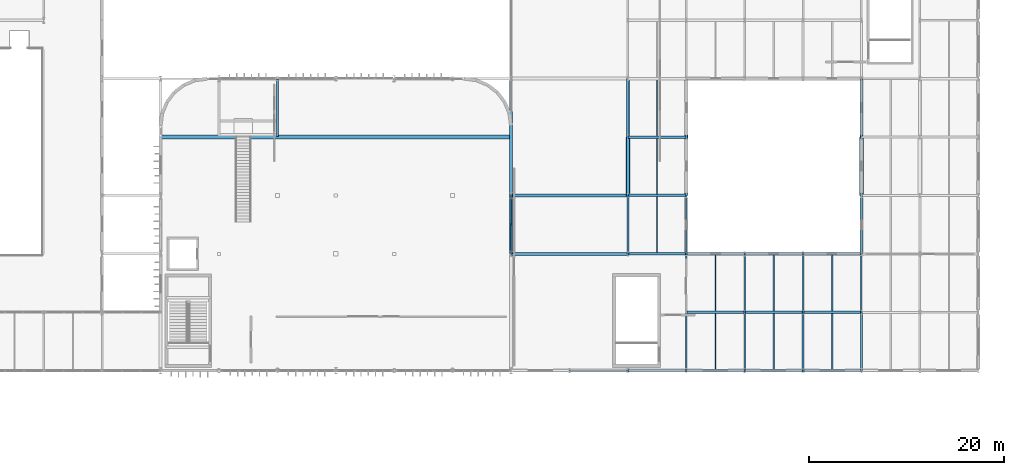
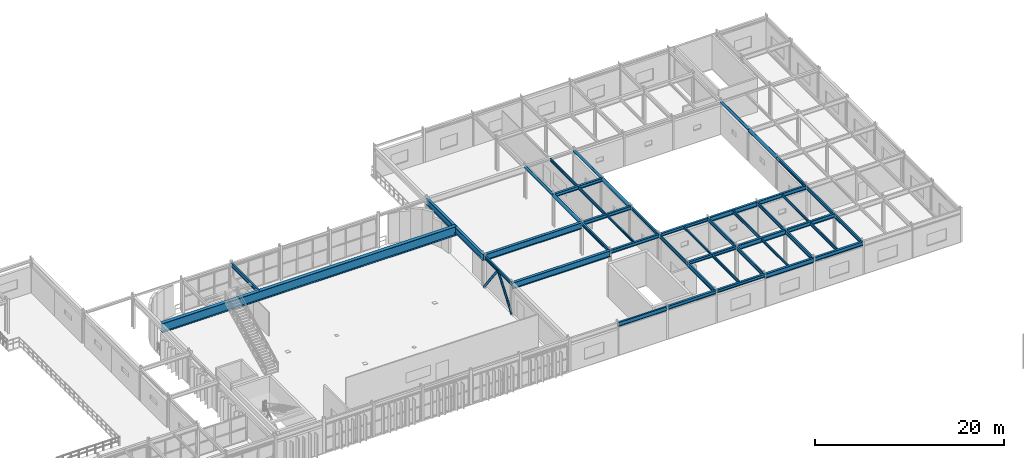
# One storey, part 39 of 84: 46 beams, 2 members.
"""IFC4 building model written with IfcOpenShell, lengths in metres."""

import ifcopenshell
import ifcopenshell.guid

model = None  # the IFC model being written
_history = None  # IfcOwnerHistory: only IFC2X3 demands one
_inside = {}  # id of a spatial element -> (the spatial element, [elements in it])
_under = {}  # id of a project, library or spatial element -> (it, [spatial elements below it])
_declared = {}  # id of a project -> (the project, [libraries it declares])
_typed = {}  # id of a type object -> (the type object, [elements of that type])
_made_of = {}  # id of a material, layer set ... -> (it, [elements and type objects made of it])


def new_model(schema):
    """Start an empty IFC model of exactly this schema.

    Asked for "IFC4X3", IfcOpenShell would pick the latest addendum, in which some entities
    have other attributes; the version numbers below select the first issue.
    IFC2X3 requires an IfcOwnerHistory on every rooted entity: one is made here for all.
    """
    global model, _history
    if schema == "IFC4X3":
        model = ifcopenshell.file(schema_version=(4, 3, 0, 0))
    else:
        model = ifcopenshell.file(schema=schema)
    _inside.clear()
    _under.clear()
    _declared.clear()
    _typed.clear()
    _made_of.clear()
    _history = None
    if model.schema == "IFC2X3":
        org = make("IfcOrganization", Name="unknown")
        user = make(
            "IfcPersonAndOrganization",
            ThePerson=make("IfcPerson", FamilyName="unknown"),
            TheOrganization=org,
        )
        app = make(
            "IfcApplication",
            ApplicationDeveloper=org,
            Version="unknown",
            ApplicationFullName="unknown",
            ApplicationIdentifier="unknown",
        )
        _history = make(
            "IfcOwnerHistory",
            OwningUser=user,
            OwningApplication=app,
            ChangeAction="ADDED",
            CreationDate=0,
        )
    return model


def make(cls, **values):
    """One entity of the class cls with the attributes given. An attribute that is None is left unset."""
    return model.create_entity(
        cls, **{name: value for name, value in values.items() if value is not None}
    )


def rooted(cls, **values):
    """An entity with a GlobalId (a new one), such as an element, a storey or a relation."""
    return make(cls, GlobalId=ifcopenshell.guid.new(), OwnerHistory=_history, **values)


def si_unit(unit_type, name, prefix=None):
    """IfcSIUnit, for example si_unit("LENGTHUNIT", "METRE", prefix="MILLI")."""
    return make("IfcSIUnit", UnitType=unit_type, Prefix=prefix, Name=name)


def assignment(units):
    """IfcUnitAssignment: the units of a project."""
    return None if units is None else make("IfcUnitAssignment", Units=units)


def point(xyz):
    """IfcCartesianPoint."""
    return None if xyz is None else make("IfcCartesianPoint", Coordinates=xyz)


def direction(xyz):
    """IfcDirection."""
    return None if xyz is None else make("IfcDirection", DirectionRatios=xyz)


def frame(location, z_axis=None, x_axis=None):
    """IfcAxis2Placement3D, a coordinate frame: its origin and axes. An axis left out is left unset."""
    return make(
        "IfcAxis2Placement3D",
        Location=point(location),
        Axis=direction(z_axis),
        RefDirection=direction(x_axis),
    )


def frame_2d(location, x_axis=None):
    """IfcAxis2Placement2D, a coordinate frame in the plane: its origin and x axis."""
    return make(
        "IfcAxis2Placement2D", Location=point(location), RefDirection=direction(x_axis)
    )


def origin():
    """The frame at (0, 0, 0) with its axes left unset."""
    return frame((0.0, 0.0, 0.0))


def origin_2d():
    """The frame at (0, 0) in the plane with its x axis left unset."""
    return frame_2d((0.0, 0.0))


def place(relative_to, where):
    """IfcLocalPlacement: puts the frame where relative to a parent placement (None: the world)."""
    return make(
        "IfcLocalPlacement", PlacementRelTo=relative_to, RelativePlacement=where
    )


def context(
    kind, dimensions, precision=None, world=None, true_north=None, identifier=None
):
    """IfcGeometricRepresentationContext, for example the 3D "Model" context."""
    return make(
        "IfcGeometricRepresentationContext",
        ContextIdentifier=identifier,
        ContextType=kind,
        CoordinateSpaceDimension=dimensions,
        Precision=precision,
        WorldCoordinateSystem=world,
        TrueNorth=true_north,
    )


def subcontext(parent, identifier, kind, view, scale=None):
    """IfcGeometricRepresentationSubContext, for example "Body" below "Model"."""
    return make(
        "IfcGeometricRepresentationSubContext",
        ContextIdentifier=identifier,
        ContextType=kind,
        ParentContext=parent,
        TargetScale=scale,
        TargetView=view,
    )


def project(units=None, contexts=None):
    """IfcProject with its units and contexts."""
    return rooted(
        "IfcProject",
        Name="project",
        RepresentationContexts=contexts,
        UnitsInContext=assignment(units),
    )


def spatial(cls, under=None, at=None, **own):
    """A site, building, storey or space (cls), placed at a placement, below another one or the project."""
    s = rooted(cls, ObjectPlacement=at, **own)
    if under is not None:
        _under.setdefault(under.id(), (under, []))[1].append(s)
    return s


def profile(cls, at=None, kind="AREA", **sizes):
    """A parametric profile (cls). Its sizes go by their IFC names, for example OverallWidth=200.0."""
    return make(cls, ProfileType=kind, Position=at, **sizes)


def hollow_circle(**sizes):
    """IfcCircleHollowProfileDef."""
    return profile("IfcCircleHollowProfileDef", **sizes)


def i_section(**sizes):
    """IfcIShapeProfileDef."""
    return profile("IfcIShapeProfileDef", **sizes)


def extrude(swept, where, along, depth):
    """IfcExtrudedAreaSolid: the profile swept, set in the frame where, extruded along a direction by depth."""
    return make(
        "IfcExtrudedAreaSolid",
        SweptArea=swept,
        Position=where,
        ExtrudedDirection=direction(along),
        Depth=depth,
    )


def shape(context_of_items, identifier, shape_type, items):
    """IfcShapeRepresentation: the items that make up one representation, for example the "Body"."""
    return make(
        "IfcShapeRepresentation",
        ContextOfItems=context_of_items,
        RepresentationIdentifier=identifier,
        RepresentationType=shape_type,
        Items=items,
    )


def material(Name=None, Category=None):
    """IfcMaterial."""
    return make("IfcMaterial", Name=Name, Category=Category)


def material_profile(
    of_material, cross_section, Name=None, Category=None, Priority=None
):
    """IfcMaterialProfile: a cross section and its material."""
    return make(
        "IfcMaterialProfile",
        Name=Name,
        Material=of_material,
        Profile=cross_section,
        Priority=Priority,
        Category=Category,
    )


def profile_set(profiles, Name=None, composite=None):
    """IfcMaterialProfileSet."""
    return make(
        "IfcMaterialProfileSet",
        Name=Name,
        MaterialProfiles=profiles,
        CompositeProfile=composite,
    )


def made_of(thing, what):
    """Note that an element or type object is made of a material, layer set ...; save() writes the relation."""
    if what is not None:
        _made_of.setdefault(what.id(), (what, []))[1].append(thing)
    return thing


def type_object(cls, material=None, **own):
    """A type object (cls), such as IfcWallType, which elements share."""
    return made_of(rooted(cls, **own), material)


def element(
    cls,
    number,
    at=None,
    inside=None,
    cuts=None,
    type_object=None,
    material=None,
    context=None,
    identifier="Body",
    shape_type=None,
    held_by="IfcProductDefinitionShape",
    body=None,
    shapes=None,
    **own,
):
    """One element of the class cls, such as IfcWall. Its Tag is "e" and its number.

    at: its placement. inside: the storey or other place that contains it. cuts: it is an
    opening in that element (IfcRelVoidsElement). A single representation is given by context,
    identifier, shape_type and body (its items); several are given by shapes. held_by: the class
    of the entity that holds the representations. save() writes the other relations.
    """
    e = rooted(cls, Tag="e%d" % number, ObjectPlacement=at, **own)
    if body is not None:
        shapes = [shape(context, identifier, shape_type, body)]
    if shapes is not None:
        e.Representation = make(held_by, Representations=shapes)
    if inside is not None:
        _inside.setdefault(inside.id(), (inside, []))[1].append(e)
    if cuts is not None:
        rooted(
            "IfcRelVoidsElement", RelatingBuildingElement=cuts, RelatedOpeningElement=e
        )
    if type_object is not None:
        _typed.setdefault(type_object.id(), (type_object, []))[1].append(e)
    return made_of(e, material)


def aggregate(whole, parts):
    """IfcRelAggregates: a whole, such as a stair, and the parts it consists of."""
    return rooted("IfcRelAggregates", RelatingObject=whole, RelatedObjects=parts)


def save(model, path):
    """Write the relations noted so far, then the file.

    IfcRelAggregates (storeys below a building ...), IfcRelContainedInSpatialStructure (elements
    in a storey), IfcRelDefinesByType, IfcRelAssociatesMaterial and IfcRelDeclares: one each for
    every whole, place, type object, material and project.
    """
    for whole, parts in _under.values():
        aggregate(whole, parts)
    for where, things in _inside.values():
        rooted(
            "IfcRelContainedInSpatialStructure",
            RelatedElements=things,
            RelatingStructure=where,
        )
    for kind, things in _typed.values():
        rooted("IfcRelDefinesByType", RelatedObjects=things, RelatingType=kind)
    for what, things in _made_of.values():
        rooted("IfcRelAssociatesMaterial", RelatedObjects=things, RelatingMaterial=what)
    for by, libraries in _declared.values():
        rooted("IfcRelDeclares", RelatingContext=by, RelatedDefinitions=libraries)
    model.write(path)


model = new_model("IFC4")

# Units and contexts
model_context = context("Model", 3, precision=1e-05, world=origin(), true_north=direction((0.0, 1.0)))
body_context = subcontext(model_context, "Body", "Model", "MODEL_VIEW")
ifc_project = project(units=[si_unit("LENGTHUNIT", "METRE"), si_unit("AREAUNIT", "SQUARE_METRE"), si_unit("VOLUMEUNIT", "CUBIC_METRE"), si_unit("PLANEANGLEUNIT", "RADIAN"), si_unit("MASSUNIT", "GRAM", prefix="KILO")], contexts=[model_context])

# Site, building, storey
site_placement = place(None, origin())
site = spatial("IfcSite", under=ifc_project, at=site_placement, CompositionType="ELEMENT")
building_placement = place(site_placement, origin())
building = spatial("IfcBuilding", under=site, at=building_placement, Name="Varnakota Square Police Headquarters", CompositionType="ELEMENT")
storey_placement = place(building_placement, frame((0.0, 0.0, 13.5)))
storey = spatial("IfcBuildingStorey", under=building, at=storey_placement, Name="L03", CompositionType="ELEMENT", Elevation=13.5)

# Beams
ifc_material = material(Name="Steel IS 2062 Grade 350", Category="steel")
ifc_material_profile_1 = material_profile(ifc_material, hollow_circle(Radius=0.161865234375, WallThickness=0.0126953125, at=origin_2d()), Name="CHS 323.9x12.7")
ifc_profile_set_1 = profile_set([ifc_material_profile_1], Name="Steel IS 2062 Grade 350")
beam_type_1 = type_object("IfcBeamType", Name="BM-ARC-CHS324", PredefinedType="BEAM", material=ifc_profile_set_1)
for number, where, z_axis, x_axis, name in (
    (1, (108.0, 93.0, 4.0380859375), (0.0, 1.0, 0.0), (-1.0, 0.0, 0.0), "BMG-L03-2680"),
    (2, (114.0, 93.0, 4.0380859375), (0.0, 1.0, 0.0), (-1.0, 0.0, 0.0), "BMG-L03-2689"),
    (3, (132.0, 93.0, 4.0380859375), (0.0, 1.0, 0.0), (-1.0, 0.0, 0.0), "BMG-L03-2710"),
):
    element("IfcBeam", number, at=place(storey_placement, frame(where, z_axis=z_axis, x_axis=x_axis)), inside=storey, type_object=beam_type_1, Name=name, PredefinedType="BEAM", context=body_context, shape_type="SweptSolid", body=[
        extrude(hollow_circle(Radius=0.161865234375, WallThickness=0.0126953125, at=origin_2d()), origin(), (0.0, 0.0, 1.0), 6.0),
    ])
ifc_material_profile_2 = material_profile(ifc_material, hollow_circle(Radius=0.203125, WallThickness=0.01611328125, at=origin_2d()), Name="CHS 406.4x16.0")
ifc_profile_set_2 = profile_set([ifc_material_profile_2], Name="Steel IS 2062 Grade 350")
beam_type_2 = type_object("IfcBeamType", Name="BM-ARC-CHS406", PredefinedType="BEAM", material=ifc_profile_set_2)
for number, where, z_axis, x_axis, name in (
    (4, (108.0, 87.0, 3.996826171875), (0.0, 1.0, 0.0), (-1.0, 0.0, 0.0), "BMG-L03-2679"),
    (5, (114.0, 87.0, 3.996826171875), (0.0, 1.0, 0.0), (-1.0, 0.0, 0.0), "BMG-L03-2688"),
    (6, (132.0, 87.0, 3.996826171875), (0.0, 1.0, 0.0), (-1.0, 0.0, 0.0), "BMG-L03-2709"),
):
    element("IfcBeam", number, at=place(storey_placement, frame(where, z_axis=z_axis, x_axis=x_axis)), inside=storey, type_object=beam_type_2, Name=name, PredefinedType="BEAM", context=body_context, shape_type="SweptSolid", body=[
        extrude(hollow_circle(Radius=0.203125, WallThickness=0.01611328125, at=origin_2d()), origin(), (0.0, 0.0, 1.0), 6.0),
    ])
ifc_material_profile_3 = material_profile(ifc_material, i_section(OverallWidth=0.419921875, OverallDepth=1.199951171875, WebThickness=0.02197265625, FlangeThickness=0.034912109375, at=origin_2d()), Name="BPG 1200x420")
ifc_profile_set_3 = profile_set([ifc_material_profile_3], Name="Steel IS 2062 Grade 350")
beam_type_3 = type_object("IfcBeamType", Name="BM-BPG1200", PredefinedType="BEAM", material=ifc_profile_set_3)
beam_1_placement = place(storey_placement, frame((60.0, 93.0, 3.699951171875), z_axis=(1.0, 0.0, 0.0), x_axis=(0.0, 1.0, 0.0)))
element("IfcBeam", 7, at=beam_1_placement, inside=storey, type_object=beam_type_3, Name="Crisis gallery north edge girder L03", PredefinedType="BEAM", context=body_context, shape_type="SweptSolid", body=[
    extrude(i_section(OverallWidth=0.419921875, OverallDepth=1.199951171875, WebThickness=0.02197265625, FlangeThickness=0.034912109375, at=origin_2d()), origin(), (0.0, 0.0, 1.0), 36.0),
])
ifc_material_profile_4 = material_profile(ifc_material, i_section(OverallWidth=0.320068359375, OverallDepth=0.800048828125, WebThickness=0.01611328125, FlangeThickness=0.028076171875, at=origin_2d()), Name="BPG 800x320")
ifc_profile_set_4 = profile_set([ifc_material_profile_4], Name="Steel IS 2062 Grade 350")
beam_type_4 = type_object("IfcBeamType", Name="BM-BPG800", PredefinedType="BEAM", material=ifc_profile_set_4)
for number, where, z_axis, x_axis, name in (
    (8, (96.0, 81.0, 3.800048828125), (1.0, 0.0, 0.0), (0.0, 1.0, 0.0), "BMG-L03-2543"),
    (9, (96.0, 87.0, 3.800048828125), (1.0, 0.0, 0.0), (0.0, 1.0, 0.0), "BMG-L03-2551"),
    (10, (96.0, 87.0, 3.800048828125), (0.0, 1.0, 0.0), (-1.0, 0.0, 0.0), "BMG-L03-2675"),
):
    element("IfcBeam", number, at=place(storey_placement, frame(where, z_axis=z_axis, x_axis=x_axis)), inside=storey, type_object=beam_type_4, Name=name, PredefinedType="BEAM", context=body_context, shape_type="SweptSolid", body=[
        extrude(i_section(OverallWidth=0.320068359375, OverallDepth=0.800048828125, WebThickness=0.01611328125, FlangeThickness=0.028076171875, at=origin_2d()), origin(), (0.0, 0.0, 1.0), 12.0),
    ])
ifc_material_profile_5 = material_profile(ifc_material, i_section(OverallWidth=0.25, OverallDepth=0.39990234375, WebThickness=0.010498046875, FlangeThickness=0.0126953125, FilletRadius=0.013916015625, at=origin_2d()), Name="ISHB 400")
ifc_profile_set_5 = profile_set([ifc_material_profile_5], Name="Steel IS 2062 Grade 350")
beam_type_5 = type_object("IfcBeamType", Name="BM-ISHB400", PredefinedType="BEAM", material=ifc_profile_set_5)
for number, where, z_axis, x_axis, name in (
    (11, (114.0, 69.0, 4.0), (1.0, 0.0, 0.0), (0.0, 1.0, 0.0), "BMG-L03-2525"),
    (12, (114.0, 75.0, 4.0), (1.0, 0.0, 0.0), (0.0, 1.0, 0.0), "BMG-L03-2537"),
    (13, (114.0, 81.0, 4.0), (1.0, 0.0, 0.0), (0.0, 1.0, 0.0), "BMG-L03-2545"),
):
    element("IfcBeam", number, at=place(storey_placement, frame(where, z_axis=z_axis, x_axis=x_axis)), inside=storey, type_object=beam_type_5, Name=name, PredefinedType="BEAM", context=body_context, shape_type="SweptSolid", body=[
        extrude(i_section(OverallWidth=0.25, OverallDepth=0.39990234375, WebThickness=0.010498046875, FlangeThickness=0.0126953125, FilletRadius=0.013916015625, at=origin_2d()), origin(), (0.0, 0.0, 1.0), 6.0),
    ])
ifc_material_profile_6 = material_profile(ifc_material, i_section(OverallWidth=0.25, OverallDepth=0.449951171875, WebThickness=0.01123046875, FlangeThickness=0.013671875, FilletRadius=0.014892578125, at=origin_2d()), Name="ISHB 450")
ifc_profile_set_6 = profile_set([ifc_material_profile_6], Name="Steel IS 2062 Grade 350")
beam_type_6 = type_object("IfcBeamType", Name="BM-ISHB450", PredefinedType="BEAM", material=ifc_profile_set_6)
for number, where, z_axis, x_axis, name in (
    (14, (108.0, 69.0, 3.97509765625), (1.0, 0.0, 0.0), (0.0, 1.0, 0.0), "BMG-L03-2524"),
    (15, (108.0, 81.0, 3.97509765625), (1.0, 0.0, 0.0), (0.0, 1.0, 0.0), "BMG-L03-2544"),
    (16, (108.0, 87.0, 3.97509765625), (1.0, 0.0, 0.0), (0.0, 1.0, 0.0), "BMG-L03-2552"),
    (17, (108.0, 93.0, 3.97509765625), (1.0, 0.0, 0.0), (0.0, 1.0, 0.0), "BMG-L03-2555"),
):
    element("IfcBeam", number, at=place(storey_placement, frame(where, z_axis=z_axis, x_axis=x_axis)), inside=storey, type_object=beam_type_6, Name=name, PredefinedType="BEAM", context=body_context, shape_type="SweptSolid", body=[
        extrude(i_section(OverallWidth=0.25, OverallDepth=0.449951171875, WebThickness=0.01123046875, FlangeThickness=0.013671875, FilletRadius=0.014892578125, at=origin_2d()), origin(), (0.0, 0.0, 1.0), 6.0),
    ])
ifc_material_profile_7 = material_profile(ifc_material, i_section(OverallWidth=0.139892578125, OverallDepth=0.300048828125, WebThickness=0.0078125, FlangeThickness=0.01318359375, FilletRadius=0.013916015625, at=origin_2d()), Name="ISMB 300")
ifc_profile_set_7 = profile_set([ifc_material_profile_7], Name="Steel IS 2062 Grade 350")
beam_type_7 = type_object("IfcBeamType", Name="BM-ISMB300", PredefinedType="JOIST", material=ifc_profile_set_7)
for number, where, z_axis, x_axis, name in (
    (18, (111.0, 81.123046875, 4.050048828125), (0.0, 1.0, 0.0), (-1.0, 0.0, 0.0), "BMG-L03-2802"),
    (19, (117.0, 75.123046875, 4.050048828125), (0.0, 1.0, 0.0), (-1.0, 0.0, 0.0), "BMG-L03-2808"),
    (20, (123.0, 69.123046875, 4.050048828125), (0.0, 1.0, 0.0), (-1.0, 0.0, 0.0), "BMG-L03-2811"),
):
    element("IfcBeam", number, at=place(storey_placement, frame(where, z_axis=z_axis, x_axis=x_axis)), inside=storey, type_object=beam_type_7, Name=name, PredefinedType="JOIST", context=body_context, shape_type="SweptSolid", body=[
        extrude(i_section(OverallWidth=0.139892578125, OverallDepth=0.300048828125, WebThickness=0.0078125, FlangeThickness=0.01318359375, FilletRadius=0.013916015625, at=origin_2d()), origin(), (0.0, 0.0, 1.0), 5.75390625),
    ])
ifc_material_profile_8 = material_profile(ifc_material, i_section(OverallWidth=0.139892578125, OverallDepth=0.35009765625, WebThickness=0.008056640625, FlangeThickness=0.01416015625, FilletRadius=0.013916015625, at=origin_2d()), Name="ISMB 350")
ifc_profile_set_8 = profile_set([ifc_material_profile_8], Name="Steel IS 2062 Grade 350")
beam_type_8 = type_object("IfcBeamType", Name="BM-ISMB350", PredefinedType="JOIST", material=ifc_profile_set_8)
for number, where, z_axis, x_axis, name in (
    (21, (111.0, 93.123046875, 4.02490234375), (0.0, 1.0, 0.0), (-1.0, 0.0, 0.0), "BMG-L03-2804"),
    (22, (117.0, 69.123046875, 4.02490234375), (0.0, 1.0, 0.0), (-1.0, 0.0, 0.0), "BMG-L03-2807"),
    (23, (129.0, 75.123046875, 4.02490234375), (0.0, 1.0, 0.0), (-1.0, 0.0, 0.0), "BMG-L03-2815"),
):
    element("IfcBeam", number, at=place(storey_placement, frame(where, z_axis=z_axis, x_axis=x_axis)), inside=storey, type_object=beam_type_8, Name=name, PredefinedType="JOIST", context=body_context, shape_type="SweptSolid", body=[
        extrude(i_section(OverallWidth=0.139892578125, OverallDepth=0.35009765625, WebThickness=0.008056640625, FlangeThickness=0.01416015625, FilletRadius=0.013916015625, at=origin_2d()), origin(), (0.0, 0.0, 1.0), 5.75390625),
    ])
ifc_material_profile_9 = material_profile(ifc_material, i_section(OverallWidth=0.139892578125, OverallDepth=0.39990234375, WebThickness=0.0087890625, FlangeThickness=0.01611328125, FilletRadius=0.013916015625, at=origin_2d()), Name="ISMB 400")
ifc_profile_set_9 = profile_set([ifc_material_profile_9], Name="Steel IS 2062 Grade 350")
beam_type_9 = type_object("IfcBeamType", Name="BM-ISMB400", PredefinedType="JOIST", material=ifc_profile_set_9)
for number, where, z_axis, x_axis, name in (
    (24, (111.0, 87.123046875, 4.0), (0.0, 1.0, 0.0), (-1.0, 0.0, 0.0), "BMG-L03-2803"),
    (25, (123.0, 75.123046875, 4.0), (0.0, 1.0, 0.0), (-1.0, 0.0, 0.0), "BMG-L03-2812"),
    (26, (129.0, 69.123046875, 4.0), (0.0, 1.0, 0.0), (-1.0, 0.0, 0.0), "BMG-L03-2814"),
):
    element("IfcBeam", number, at=place(storey_placement, frame(where, z_axis=z_axis, x_axis=x_axis)), inside=storey, type_object=beam_type_9, Name=name, PredefinedType="JOIST", context=body_context, shape_type="SweptSolid", body=[
        extrude(i_section(OverallWidth=0.139892578125, OverallDepth=0.39990234375, WebThickness=0.0087890625, FlangeThickness=0.01611328125, FilletRadius=0.013916015625, at=origin_2d()), origin(), (0.0, 0.0, 1.0), 5.75390625),
    ])
ifc_material_profile_10 = material_profile(ifc_material, i_section(OverallWidth=0.14990234375, OverallDepth=0.449951171875, WebThickness=0.009521484375, FlangeThickness=0.017333984375, FilletRadius=0.014892578125, at=origin_2d()), Name="ISMB 450")
ifc_profile_set_10 = profile_set([ifc_material_profile_10], Name="Steel IS 2062 Grade 350")
beam_type_10 = type_object("IfcBeamType", Name="BM-ISMB450", PredefinedType="BEAM", material=ifc_profile_set_10)
for number, where, z_axis, x_axis, name in (
    (27, (114.0, 75.0, 3.97509765625), (0.0, 1.0, 0.0), (-1.0, 0.0, 0.0), "BMG-L03-2686"),
    (28, (120.0, 75.0, 3.97509765625), (0.0, 1.0, 0.0), (-1.0, 0.0, 0.0), "BMG-L03-2695"),
    (29, (126.0, 75.0, 3.97509765625), (0.0, 1.0, 0.0), (-1.0, 0.0, 0.0), "BMG-L03-2701"),
    (30, (132.0, 75.0, 3.97509765625), (0.0, 1.0, 0.0), (-1.0, 0.0, 0.0), "BMG-L03-2707"),
):
    element("IfcBeam", number, at=place(storey_placement, frame(where, z_axis=z_axis, x_axis=x_axis)), inside=storey, type_object=beam_type_10, Name=name, PredefinedType="BEAM", context=body_context, shape_type="SweptSolid", body=[
        extrude(i_section(OverallWidth=0.14990234375, OverallDepth=0.449951171875, WebThickness=0.009521484375, FlangeThickness=0.017333984375, FilletRadius=0.014892578125, at=origin_2d()), origin(), (0.0, 0.0, 1.0), 6.0),
    ])
ifc_material_profile_11 = material_profile(ifc_material, i_section(OverallWidth=0.179931640625, OverallDepth=0.5, WebThickness=0.01025390625, FlangeThickness=0.01708984375, FilletRadius=0.01708984375, at=origin_2d()), Name="ISMB 500")
ifc_profile_set_11 = profile_set([ifc_material_profile_11], Name="Steel IS 2062 Grade 350")
beam_type_11 = type_object("IfcBeamType", Name="BM-ISMB500", PredefinedType="BEAM", material=ifc_profile_set_11)
for number, where, z_axis, x_axis, name in (
    (31, (114.0, 69.0, 3.949951171875), (0.0, 1.0, 0.0), (-1.0, 0.0, 0.0), "BMG-L03-2685"),
    (32, (120.0, 69.0, 3.949951171875), (0.0, 1.0, 0.0), (-1.0, 0.0, 0.0), "BMG-L03-2694"),
    (33, (126.0, 69.0, 3.949951171875), (0.0, 1.0, 0.0), (-1.0, 0.0, 0.0), "BMG-L03-2700"),
    (34, (132.0, 69.0, 3.949951171875), (0.0, 1.0, 0.0), (-1.0, 0.0, 0.0), "BMG-L03-2706"),
):
    element("IfcBeam", number, at=place(storey_placement, frame(where, z_axis=z_axis, x_axis=x_axis)), inside=storey, type_object=beam_type_11, Name=name, PredefinedType="BEAM", context=body_context, shape_type="SweptSolid", body=[
        extrude(i_section(OverallWidth=0.179931640625, OverallDepth=0.5, WebThickness=0.01025390625, FlangeThickness=0.01708984375, FilletRadius=0.01708984375, at=origin_2d()), origin(), (0.0, 0.0, 1.0), 6.0),
    ])
beam_2_placement = place(storey_placement, frame((72.0, 93.050048828125, 4.050048828125), z_axis=(0.0, 1.0, 0.0), x_axis=(-1.0, 0.0, 0.0)))
element("IfcBeam", 35, at=beam_2_placement, inside=storey, type_object=beam_type_11, Name="Crisis stair trimmer girder E", PredefinedType="BEAM", context=body_context, shape_type="SweptSolid", body=[
    extrude(i_section(OverallWidth=0.179931640625, OverallDepth=0.5, WebThickness=0.01025390625, FlangeThickness=0.01708984375, FilletRadius=0.01708984375, at=origin_2d()), origin(), (0.0, 0.0, 1.0), 5.89990234375),
])
ifc_material_profile_12 = material_profile(ifc_material, i_section(OverallWidth=0.18994140625, OverallDepth=0.550048828125, WebThickness=0.01123046875, FlangeThickness=0.019287109375, FilletRadius=0.01806640625, at=origin_2d()), Name="ISMB 550")
ifc_profile_set_12 = profile_set([ifc_material_profile_12], Name="Steel IS 2062 Grade 350")
beam_type_12 = type_object("IfcBeamType", Name="BM-ISMB550", PredefinedType="BEAM", material=ifc_profile_set_12)
beam_3_placement = place(storey_placement, frame((102.0, 69.0, 3.925048828125), z_axis=(1.0, 0.0, 0.0), x_axis=(0.0, 1.0, 0.0)))
element("IfcBeam", 36, at=beam_3_placement, inside=storey, type_object=beam_type_12, Name="BMG-L03-2523", PredefinedType="BEAM", context=body_context, shape_type="SweptSolid", body=[
    extrude(i_section(OverallWidth=0.18994140625, OverallDepth=0.550048828125, WebThickness=0.01123046875, FlangeThickness=0.019287109375, FilletRadius=0.01806640625, at=origin_2d()), origin(), (0.0, 0.0, 1.0), 6.0),
])
ifc_material_profile_13 = material_profile(ifc_material, i_section(OverallWidth=0.199951171875, OverallDepth=0.39990234375, WebThickness=0.008544921875, FlangeThickness=0.012939453125, FilletRadius=0.012939453125, at=origin_2d()), Name="ISWB 400")
ifc_profile_set_13 = profile_set([ifc_material_profile_13], Name="Steel IS 2062 Grade 350")
beam_type_13 = type_object("IfcBeamType", Name="BM-ISWB400", PredefinedType="BEAM", material=ifc_profile_set_13)
for number, where, z_axis, x_axis, name in (
    (37, (96.0, 81.0, 4.0), (0.0, 1.0, 0.0), (-1.0, 0.0, 0.0), "BMG-L03-2674"),
    (38, (108.0, 81.0, 4.0), (0.0, 1.0, 0.0), (-1.0, 0.0, 0.0), "BMG-L03-2678"),
    (39, (114.0, 81.0, 4.0), (0.0, 1.0, 0.0), (-1.0, 0.0, 0.0), "BMG-L03-2687"),
    (40, (132.0, 81.0, 4.0), (0.0, 1.0, 0.0), (-1.0, 0.0, 0.0), "BMG-L03-2708"),
):
    element("IfcBeam", number, at=place(storey_placement, frame(where, z_axis=z_axis, x_axis=x_axis)), inside=storey, type_object=beam_type_13, Name=name, PredefinedType="BEAM", context=body_context, shape_type="SweptSolid", body=[
        extrude(i_section(OverallWidth=0.199951171875, OverallDepth=0.39990234375, WebThickness=0.008544921875, FlangeThickness=0.012939453125, FilletRadius=0.012939453125, at=origin_2d()), origin(), (0.0, 0.0, 1.0), 6.0),
    ])
ifc_material_profile_14 = material_profile(ifc_material, i_section(OverallWidth=0.25, OverallDepth=0.5, WebThickness=0.010009765625, FlangeThickness=0.0146484375, FilletRadius=0.014892578125, at=origin_2d()), Name="ISWB 500")
ifc_profile_set_14 = profile_set([ifc_material_profile_14], Name="Steel IS 2062 Grade 350")
beam_type_14 = type_object("IfcBeamType", Name="BM-ISWB500", PredefinedType="BEAM", material=ifc_profile_set_14)
for number, where, z_axis, x_axis, name in (
    (41, (126.0, 69.0, 3.949951171875), (1.0, 0.0, 0.0), (0.0, 1.0, 0.0), "BMG-L03-2527"),
    (42, (126.0, 75.0, 3.949951171875), (1.0, 0.0, 0.0), (0.0, 1.0, 0.0), "BMG-L03-2539"),
    (43, (126.0, 81.0, 3.949951171875), (1.0, 0.0, 0.0), (0.0, 1.0, 0.0), "BMG-L03-2547"),
):
    element("IfcBeam", number, at=place(storey_placement, frame(where, z_axis=z_axis, x_axis=x_axis)), inside=storey, type_object=beam_type_14, Name=name, PredefinedType="BEAM", context=body_context, shape_type="SweptSolid", body=[
        extrude(i_section(OverallWidth=0.25, OverallDepth=0.5, WebThickness=0.010009765625, FlangeThickness=0.0146484375, FilletRadius=0.014892578125, at=origin_2d()), origin(), (0.0, 0.0, 1.0), 6.0),
    ])
ifc_material_profile_15 = material_profile(ifc_material, i_section(OverallWidth=0.25, OverallDepth=0.60009765625, WebThickness=0.01171875, FlangeThickness=0.023681640625, FilletRadius=0.01708984375, at=origin_2d()), Name="ISWB 600")
ifc_profile_set_15 = profile_set([ifc_material_profile_15], Name="Steel IS 2062 Grade 350")
beam_type_15 = type_object("IfcBeamType", Name="BM-ISWB600", PredefinedType="BEAM", material=ifc_profile_set_15)
for number, where, z_axis, x_axis, name in (
    (44, (120.0, 69.0, 3.89990234375), (1.0, 0.0, 0.0), (0.0, 1.0, 0.0), "BMG-L03-2526"),
    (45, (120.0, 75.0, 3.89990234375), (1.0, 0.0, 0.0), (0.0, 1.0, 0.0), "BMG-L03-2538"),
    (46, (120.0, 81.0, 3.89990234375), (1.0, 0.0, 0.0), (0.0, 1.0, 0.0), "BMG-L03-2546"),
):
    element("IfcBeam", number, at=place(storey_placement, frame(where, z_axis=z_axis, x_axis=x_axis)), inside=storey, type_object=beam_type_15, Name=name, PredefinedType="BEAM", context=body_context, shape_type="SweptSolid", body=[
        extrude(i_section(OverallWidth=0.25, OverallDepth=0.60009765625, WebThickness=0.01171875, FlangeThickness=0.023681640625, FilletRadius=0.01708984375, at=origin_2d()), origin(), (0.0, 0.0, 1.0), 6.0),
    ])

# Members
ifc_material_profile_16 = material_profile(ifc_material, hollow_circle(Radius=0.136474609375, WallThickness=0.010009765625, at=origin_2d()), Name="CHS 273.0x10.0")
ifc_profile_set_16 = profile_set([ifc_material_profile_16], Name="Steel IS 2062 Grade 350")
member_type = type_object("IfcMemberType", Name="MEM-BR-CHS273", PredefinedType="BRACE", material=ifc_profile_set_16)
for number, where, z_axis, x_axis, name in (
    (47, (96.0, 81.050048828125, 0.02001953125), (0.0, 0.600325874044, 0.79975549073), (-1.0, 0.0, 0.0), "Lateral brace BF6 L03 left"),
    (48, (96.0, 86.949951171875, 0.02001953125), (0.0, -0.600325874044, 0.79975549073), (1.0, 0.0, 0.0), "Lateral brace BF6 L03 right"),
):
    element("IfcMember", number, at=place(storey_placement, frame(where, z_axis=z_axis, x_axis=x_axis)), inside=storey, type_object=member_type, Name=name, PredefinedType="BRACE", context=body_context, shape_type="SweptSolid", body=[
        extrude(hollow_circle(Radius=0.136474609375, WallThickness=0.010009765625, at=origin_2d()), origin(), (0.0, 0.0, 1.0), 4.913818359375),
    ])

save(model, "model.ifc")
